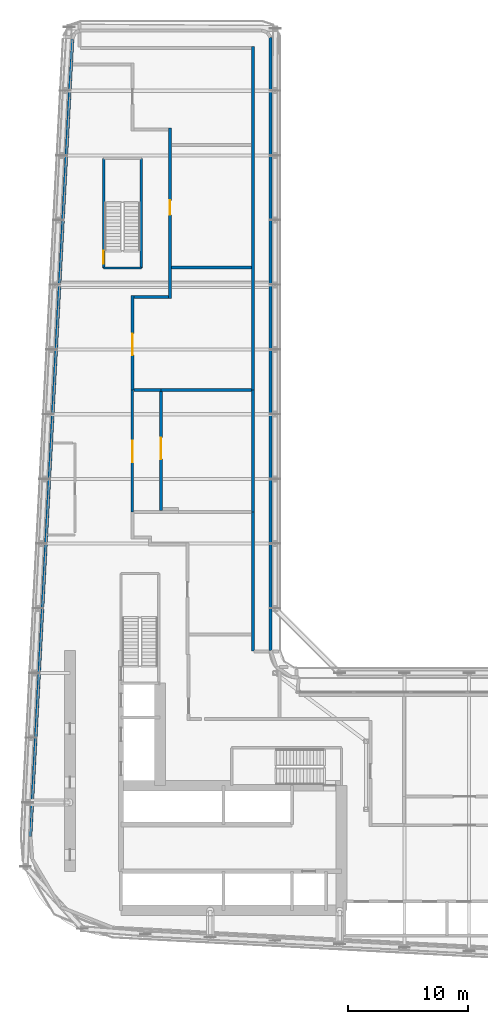
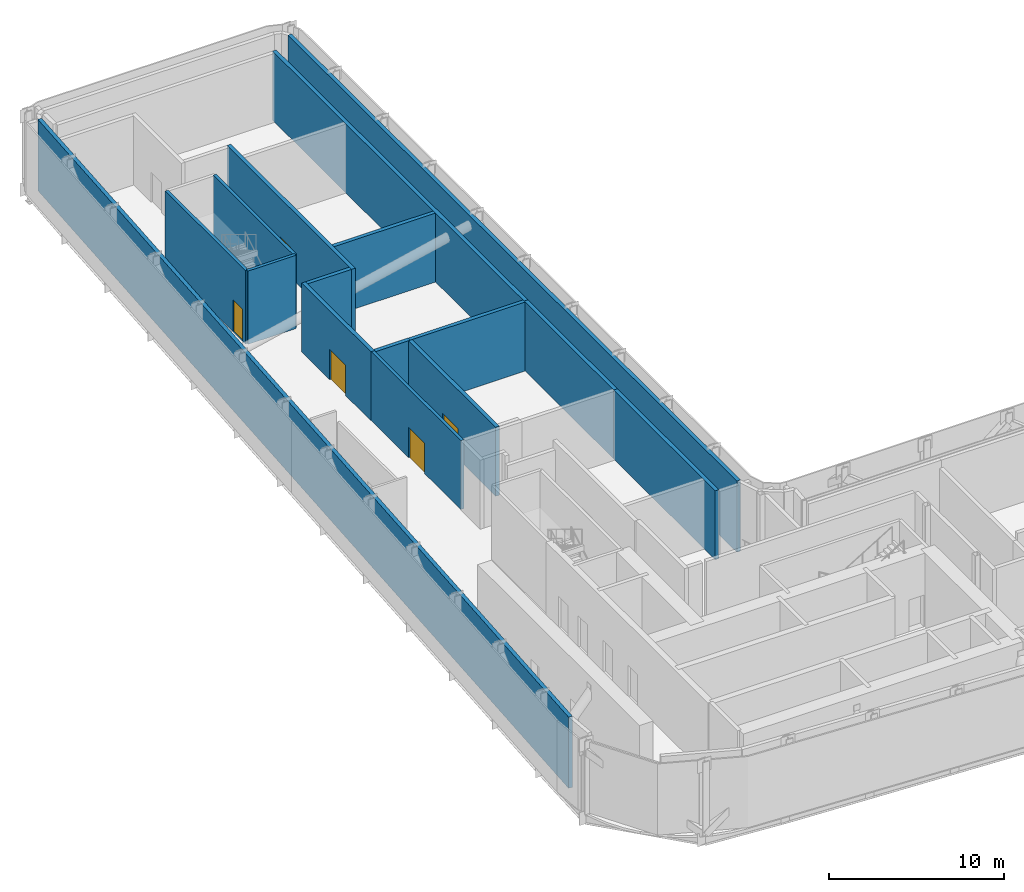
# One storey, part 21 of 30: 16 walls, 5 doors, 5 openings.
"""IFC4 building model written with IfcOpenShell, lengths in metres."""

from ifc_helpers import new_model, si_unit, direction, frame, frame_2d, origin, place, context, subcontext, project, spatial, rectangle, extrude, source, transform, mapped, material, layer, layer_set, type_object, element, fill, save


model = new_model("IFC4")

# Units and contexts
model_context = context("Model", 3, precision=1e-05, world=origin(), true_north=direction((0.0, 1.0)))
body_context = subcontext(model_context, "Body", "Model", "MODEL_VIEW")
ifc_project = project(units=[si_unit("LENGTHUNIT", "METRE"), si_unit("AREAUNIT", "SQUARE_METRE"), si_unit("VOLUMEUNIT", "CUBIC_METRE"), si_unit("PLANEANGLEUNIT", "RADIAN"), si_unit("MASSUNIT", "GRAM", prefix="KILO")], contexts=[model_context])

# Site, building, storey
site_placement = place(None, origin())
site = spatial("IfcSite", under=ifc_project, at=site_placement, CompositionType="ELEMENT")
building_placement = place(site_placement, origin())
building = spatial("IfcBuilding", under=site, at=building_placement, Name="Kheshtan School and Residences Tower", CompositionType="ELEMENT")
storey_placement = place(building_placement, frame((0.0, 0.0, 89.0)))
storey = spatial("IfcBuildingStorey", under=building, at=storey_placement, Name="L20", CompositionType="ELEMENT", Elevation=89.0)

# Wall, opening, door
ifc_material_1 = material(Name="Gypsum board on steel studs with fire boards", Category="steel")
ifc_layer_1 = layer(ifc_material_1, 0.199951171875)
ifc_layer_set_1 = layer_set([ifc_layer_1], Name="Corridor wall 200")
wall_type_1 = type_object("IfcWallType", Name="Corridor wall 200", PredefinedType="PARTITIONING", material=ifc_layer_set_1)
wall_1_placement = place(storey_placement, frame((35.699951171875, 59.02392578125, 0.0), z_axis=(0.0, 0.0, 1.0), x_axis=(0.0, 1.0, 0.0)))
wall_1 = element("IfcWall", 1, at=wall_1_placement, inside=storey, type_object=wall_type_1, Name="Partition L20-007", PredefinedType="PARTITIONING", context=body_context, shape_type="SweptSolid", body=[
    extrude(rectangle(XDim=10.212158203125, YDim=0.199951171875, at=frame_2d((5.10595703125, 0.0))), origin(), (0.0, 0.0, 1.0), 4.800048828125),
])
opening_1_placement = place(wall_1_placement, frame((4.14990234375, 0.0, 0.0)))
opening_1 = element("IfcOpeningElement", 2, at=opening_1_placement, cuts=wall_1, Name="Opening D20-019", PredefinedType="OPENING", context=body_context, shape_type="SweptSolid", body=[
    extrude(rectangle(XDim=1.800048828125, YDim=2.10009765625, at=frame_2d((0.89990234375, 1.050048828125))), frame((0.0, 0.10986328125, 0.0), z_axis=(0.0, -1.0, 0.0), x_axis=(1.0, 0.0, 0.0)), (0.0, 0.0, 1.0), 0.219970703125),
])
ifc_material_2 = material(Name="Steel-framed fire-resisting door leaf", Category="steel")
door_type_1 = type_object("IfcDoorType", Name="Fire double door FD60 1800 x 2100", OperationType="DOUBLE_DOOR_SINGLE_SWING", PredefinedType="DOOR", material=ifc_material_2)
shared_shape_1 = source(origin(), body_context, "Body", "SweptSolid", [
    extrude(rectangle(XDim=1.800048828125, YDim=2.10009765625, at=frame_2d((0.89990234375, 1.050048828125))), frame((0.0, 0.02490234375, 0.0), z_axis=(0.0, -1.0, 0.0), x_axis=(1.0, 0.0, 0.0)), (0.0, 0.0, 1.0), 0.050048828125),
])
door_1_placement = place(opening_1_placement, origin())
door_1 = element("IfcDoor", 3, at=door_1_placement, inside=storey, type_object=door_type_1, Name="Door D20-019", OperationType="DOUBLE_DOOR_SINGLE_SWING", OverallHeight=2.10009765625, OverallWidth=1.800048828125, PredefinedType="DOOR", context=body_context, shape_type="MappedRepresentation", body=[
    mapped(shared_shape_1, transform((0.0, 0.0, 0.0), x_axis=(1.0, 0.0, 0.0), y_axis=(0.0, 1.0, 0.0), z_axis=(0.0, 0.0, 1.0), scale=1.0)),
])
fill(opening_1, door_1)

# Walls
ifc_material_3 = material(Name="Concrete C40/50 with ceramic cladding and mineral wool insulation", Category="concrete")
ifc_layer_2 = layer(ifc_material_3, 0.25)
ifc_layer_set_2 = layer_set([ifc_layer_2], Name="External wall 250 ceramic clad")
wall_type_2 = type_object("IfcWallType", Name="External wall 250 ceramic clad", PredefinedType="SOLIDWALL", material=ifc_layer_set_2)
wall_2_placement = place(storey_placement, frame((27.195068359375, 31.968994140625, 0.0), z_axis=(0.0, 0.0, 1.0), x_axis=(0.052556141556, 0.99861797099, 0.0)))
element("IfcWall", 4, at=wall_2_placement, inside=storey, type_object=wall_type_2, Name="External wall L20 18", PredefinedType="SOLIDWALL", context=body_context, shape_type="SweptSolid", body=[
    extrude(rectangle(XDim=66.651123046875, YDim=0.25, at=frame_2d((33.32568359375, 0.0))), origin(), (0.0, 0.0, 1.0), 4.949951171875),
])
wall_3_placement = place(storey_placement, frame((47.22509765625, 98.659912109375, 0.0), z_axis=(0.0, 0.0, 1.0), x_axis=(0.0, -1.0, 0.0)))
element("IfcWall", 5, at=wall_3_placement, inside=storey, type_object=wall_type_2, Name="External wall L20 24", PredefinedType="SOLIDWALL", context=body_context, shape_type="SweptSolid", body=[
    extrude(rectangle(XDim=51.169921875, YDim=0.25, at=frame_2d((25.5849609375, 0.0))), origin(), (0.0, 0.0, 1.0), 4.949951171875),
])

# Wall, opening, door
ifc_material_4 = material(Name="Fire-board and steel stud wall with mineral wool", Category="steel")
ifc_layer_3 = layer(ifc_material_4, 0.25)
ifc_layer_set_3 = layer_set([ifc_layer_3], Name="Plant room wall 250")
wall_type_3 = type_object("IfcWallType", Name="Plant room wall 250", PredefinedType="PARTITIONING", material=ifc_layer_set_3)
wall_4_placement = place(storey_placement, frame((35.699951171875, 69.236083984375, 0.0), z_axis=(0.0, 0.0, 1.0), x_axis=(0.0, 1.0, 0.0)))
wall_4 = element("IfcWall", 6, at=wall_4_placement, inside=storey, type_object=wall_type_3, Name="Partition L20-008", PredefinedType="PARTITIONING", context=body_context, shape_type="SweptSolid", body=[
    extrude(rectangle(XDim=7.888916015625, YDim=0.25, at=frame_2d((3.9443359375, 0.0))), origin(), (0.0, 0.0, 1.0), 4.800048828125),
])
opening_2_placement = place(wall_4_placement, frame((2.89990234375, 0.0, 0.0)))
opening_2 = element("IfcOpeningElement", 7, at=opening_2_placement, cuts=wall_4, Name="Opening D20-009", PredefinedType="OPENING", context=body_context, shape_type="SweptSolid", body=[
    extrude(rectangle(XDim=1.800048828125, YDim=2.10009765625, at=frame_2d((0.89990234375, 1.050048828125))), frame((0.0, 0.135009765625, 0.0), z_axis=(0.0, -1.0, 0.0), x_axis=(1.0, 0.0, 0.0)), (0.0, 0.0, 1.0), 0.27001953125),
])
door_type_2 = type_object("IfcDoorType", Name="Fire double door FD120 1800 x 2100", OperationType="DOUBLE_DOOR_SINGLE_SWING", PredefinedType="DOOR", material=ifc_material_2)
shared_shape_2 = source(origin(), body_context, "Body", "SweptSolid", [
    extrude(rectangle(XDim=1.800048828125, YDim=2.10009765625, at=frame_2d((0.89990234375, 1.050048828125))), frame((0.0, 0.02490234375, 0.0), z_axis=(0.0, -1.0, 0.0), x_axis=(1.0, 0.0, 0.0)), (0.0, 0.0, 1.0), 0.050048828125),
])
door_2_placement = place(opening_2_placement, origin())
door_2 = element("IfcDoor", 8, at=door_2_placement, inside=storey, type_object=door_type_2, Name="Door D20-009", OperationType="DOUBLE_DOOR_SINGLE_SWING", OverallHeight=2.10009765625, OverallWidth=1.800048828125, PredefinedType="DOOR", context=body_context, shape_type="MappedRepresentation", body=[
    mapped(shared_shape_2, transform((0.0, 0.0, 0.0), x_axis=(1.0, 0.0, 0.0), y_axis=(0.0, 1.0, 0.0), z_axis=(0.0, 0.0, 1.0), scale=1.0)),
])
fill(opening_2, door_2)

# Walls
wall_5_placement = place(storey_placement, frame((35.824951171875, 69.236083984375, 0.0), z_axis=(0.0, 0.0, 1.0), x_axis=(1.0, 0.0, 0.0)))
element("IfcWall", 9, at=wall_5_placement, inside=storey, type_object=wall_type_3, Name="Partition L20-012", PredefinedType="PARTITIONING", context=body_context, shape_type="SweptSolid", body=[
    extrude(rectangle(XDim=2.275146484375, YDim=0.25, at=frame_2d((1.1376953125, 0.0))), origin(), (0.0, 0.0, 1.0), 4.800048828125),
])
wall_6_placement = place(storey_placement, frame((35.824951171875, 77.0, 0.0), z_axis=(0.0, 0.0, 1.0), x_axis=(1.0, 0.0, 0.0)))
element("IfcWall", 10, at=wall_6_placement, inside=storey, type_object=wall_type_3, Name="Partition L20-013", PredefinedType="PARTITIONING", context=body_context, shape_type="SweptSolid", body=[
    extrude(rectangle(XDim=2.900146484375, YDim=0.25, at=frame_2d((1.4501953125, 0.0))), origin(), (0.0, 0.0, 1.0), 4.800048828125),
])

# Wall, opening, door
wall_7_placement = place(storey_placement, frame((38.85009765625, 76.875, 0.0), z_axis=(0.0, 0.0, 1.0), x_axis=(0.0, 1.0, 0.0)))
wall_7 = element("IfcWall", 11, at=wall_7_placement, inside=storey, type_object=wall_type_3, Name="Partition L20-020", PredefinedType="PARTITIONING", context=body_context, shape_type="SweptSolid", body=[
    extrude(rectangle(XDim=14.2099609375, YDim=0.25, at=frame_2d((7.10498046875, 0.0))), origin(), (0.0, 0.0, 1.0), 4.800048828125),
])
opening_3_placement = place(wall_7_placement, frame((6.971923828125, 0.0, 0.0)))
opening_3 = element("IfcOpeningElement", 12, at=opening_3_placement, cuts=wall_7, Name="Opening D20-011", PredefinedType="OPENING", context=body_context, shape_type="SweptSolid", body=[
    extrude(rectangle(XDim=1.199951171875, YDim=2.10009765625, at=frame_2d((0.60009765625, 1.050048828125))), frame((0.0, 0.135009765625, 0.0), z_axis=(0.0, -1.0, 0.0), x_axis=(1.0, 0.0, 0.0)), (0.0, 0.0, 1.0), 0.27001953125),
])
door_type_3 = type_object("IfcDoorType", Name="Fire door FD120 1200 x 2100", OperationType="SINGLE_SWING_LEFT", PredefinedType="DOOR", material=ifc_material_2)
shared_shape_3 = source(origin(), body_context, "Body", "SweptSolid", [
    extrude(rectangle(XDim=1.199951171875, YDim=2.10009765625, at=frame_2d((0.60009765625, 1.050048828125))), frame((0.0, 0.02490234375, 0.0), z_axis=(0.0, -1.0, 0.0), x_axis=(1.0, 0.0, 0.0)), (0.0, 0.0, 1.0), 0.050048828125),
])
door_3_placement = place(opening_3_placement, origin())
door_3 = element("IfcDoor", 13, at=door_3_placement, inside=storey, type_object=door_type_3, Name="Door D20-011", OperationType="SINGLE_SWING_LEFT", OverallHeight=2.10009765625, OverallWidth=1.199951171875, PredefinedType="DOOR", context=body_context, shape_type="MappedRepresentation", body=[
    mapped(shared_shape_3, transform((0.0, 0.0, 0.0), x_axis=(1.0, 0.0, 0.0), y_axis=(0.0, 1.0, 0.0), z_axis=(0.0, 0.0, 1.0), scale=1.0)),
])
fill(opening_3, door_3)

# Walls
wall_8_placement = place(storey_placement, frame((38.97509765625, 79.447021484375, 0.0), z_axis=(0.0, 0.0, 1.0), x_axis=(1.0, 0.0, 0.0)))
element("IfcWall", 14, at=wall_8_placement, inside=storey, type_object=wall_type_3, Name="Partition L20-021", PredefinedType="PARTITIONING", context=body_context, shape_type="SweptSolid", body=[
    extrude(rectangle(XDim=6.679931640625, YDim=0.25, at=frame_2d((3.33984375, 0.0))), origin(), (0.0, 0.0, 1.0), 4.800048828125),
])
wall_9_placement = place(storey_placement, frame((45.780029296875, 47.450927734375, 0.0), z_axis=(0.0, 0.0, 1.0), x_axis=(0.0, 1.0, 0.0)))
element("IfcWall", 15, at=wall_9_placement, inside=storey, type_object=wall_type_3, Name="Partition L20-029", PredefinedType="PARTITIONING", context=body_context, shape_type="SweptSolid", body=[
    extrude(rectangle(XDim=11.572998046875, YDim=0.25, at=frame_2d((5.78662109375, 0.0))), origin(), (0.0, 0.0, 1.0), 4.800048828125),
])
wall_10_placement = place(storey_placement, frame((45.780029296875, 69.236083984375, 0.0), z_axis=(0.0, 0.0, 1.0), x_axis=(0.0, 1.0, 0.0)))
element("IfcWall", 16, at=wall_10_placement, inside=storey, type_object=wall_type_3, Name="Partition L20-031", PredefinedType="PARTITIONING", context=body_context, shape_type="SweptSolid", body=[
    extrude(rectangle(XDim=28.6689453125, YDim=0.25, at=frame_2d((14.33447265625, 0.0))), origin(), (0.0, 0.0, 1.0), 4.800048828125),
])

# Wall, opening, door
ifc_layer_4 = layer(ifc_material_4, 0.25)
ifc_layer_set_4 = layer_set([ifc_layer_4], Name="Refuge compartment wall 250")
wall_type_4 = type_object("IfcWallType", Name="Refuge compartment wall 250", PredefinedType="PARTITIONING", material=ifc_layer_set_4)
wall_11_placement = place(storey_placement, frame((38.10009765625, 59.175048828125, 0.0), z_axis=(0.0, 0.0, 1.0), x_axis=(0.0, 1.0, 0.0)))
wall_11 = element("IfcWall", 17, at=wall_11_placement, inside=storey, type_object=wall_type_4, Name="Partition L20-017", PredefinedType="PARTITIONING", context=body_context, shape_type="SweptSolid", body=[
    extrude(rectangle(XDim=9.93603515625, YDim=0.25, at=frame_2d((4.968017578125, 0.0))), origin(), (0.0, 0.0, 1.0), 4.800048828125),
])
opening_4_placement = place(wall_11_placement, frame((4.27490234375, 0.0, 0.0)))
opening_4 = element("IfcOpeningElement", 18, at=opening_4_placement, cuts=wall_11, Name="Opening D20-008", PredefinedType="OPENING", context=body_context, shape_type="SweptSolid", body=[
    extrude(rectangle(XDim=1.800048828125, YDim=2.10009765625, at=frame_2d((0.89990234375, 1.050048828125))), frame((0.0, 0.135009765625, 0.0), z_axis=(0.0, -1.0, 0.0), x_axis=(1.0, 0.0, 0.0)), (0.0, 0.0, 1.0), 0.27001953125),
])
door_4_placement = place(opening_4_placement, origin())
door_4 = element("IfcDoor", 19, at=door_4_placement, inside=storey, type_object=door_type_2, Name="Door D20-008", OperationType="DOUBLE_DOOR_SINGLE_SWING", OverallHeight=2.10009765625, OverallWidth=1.800048828125, PredefinedType="DOOR", context=body_context, shape_type="MappedRepresentation", body=[
    mapped(shared_shape_2, transform((0.0, 0.0, 0.0), x_axis=(1.0, 0.0, 0.0), y_axis=(0.0, 1.0, 0.0), z_axis=(0.0, 0.0, 1.0), scale=1.0)),
])
fill(opening_4, door_4)

# Walls
wall_12_placement = place(storey_placement, frame((38.10009765625, 69.236083984375, 0.0), z_axis=(0.0, 0.0, 1.0), x_axis=(1.0, 0.0, 0.0)))
element("IfcWall", 20, at=wall_12_placement, inside=storey, type_object=wall_type_4, Name="Partition L20-018", PredefinedType="PARTITIONING", context=body_context, shape_type="SweptSolid", body=[
    extrude(rectangle(XDim=7.554931640625, YDim=0.25, at=frame_2d((3.77734375, 0.0))), origin(), (0.0, 0.0, 1.0), 4.800048828125),
])
wall_13_placement = place(storey_placement, frame((45.780029296875, 59.02392578125, 0.0), z_axis=(0.0, 0.0, 1.0), x_axis=(0.0, 1.0, 0.0)))
element("IfcWall", 21, at=wall_13_placement, inside=storey, type_object=wall_type_4, Name="Partition L20-030", PredefinedType="PARTITIONING", context=body_context, shape_type="SweptSolid", body=[
    extrude(rectangle(XDim=10.212158203125, YDim=0.25, at=frame_2d((5.10595703125, 0.0))), origin(), (0.0, 0.0, 1.0), 4.800048828125),
])
ifc_material_5 = material(Name="Concrete C40/50", Category="concrete")
ifc_layer_5 = layer(ifc_material_5, 0.199951171875)
ifc_layer_set_5 = layer_set([ifc_layer_5], Name="Stair enclosure wall 200 Concrete C40/50")
wall_type_5 = type_object("IfcWallType", Name="Stair enclosure wall 200 Concrete C40/50", PredefinedType="SHEAR", material=ifc_layer_set_5)
wall_14_placement = place(storey_placement, frame((33.300048828125, 79.39990234375, 0.0), z_axis=(0.0, 0.0, 1.0), x_axis=(1.0, 0.0, 0.0)))
element("IfcWall", 22, at=wall_14_placement, inside=storey, type_object=wall_type_5, Name="Stair enclosure wall ST3", PredefinedType="SHEAR", context=body_context, shape_type="SweptSolid", body=[
    extrude(rectangle(XDim=3.14990234375, YDim=0.199951171875, at=frame_2d((1.574951171875, 0.0))), origin(), (0.0, 0.0, 1.0), 5.10009765625),
])

# Wall, opening, door
wall_15_placement = place(storey_placement, frame((33.300048828125, 79.39990234375, 0.0), z_axis=(0.0, 0.0, 1.0), x_axis=(0.0, 1.0, 0.0)))
wall_15 = element("IfcWall", 23, at=wall_15_placement, inside=storey, type_object=wall_type_5, Name="Stair enclosure wall ST3", PredefinedType="SHEAR", context=body_context, shape_type="SweptSolid", body=[
    extrude(rectangle(XDim=9.16015625, YDim=0.199951171875, at=frame_2d((4.580078125, 0.0))), origin(), (0.0, 0.0, 1.0), 5.10009765625),
])
opening_5_placement = place(wall_15_placement, frame((0.35009765625, 0.0, 0.0)))
opening_5 = element("IfcOpeningElement", 24, at=opening_5_placement, cuts=wall_15, Name="Opening ST3D", PredefinedType="OPENING", context=body_context, shape_type="SweptSolid", body=[
    extrude(rectangle(XDim=1.10009765625, YDim=2.199951171875, at=frame_2d((0.550048828125, 1.10009765625))), frame((0.0, 0.10986328125, 0.0), z_axis=(0.0, -1.0, 0.0), x_axis=(1.0, 0.0, 0.0)), (0.0, 0.0, 1.0), 0.219970703125),
])
ifc_material_6 = material(Name="Steel door leaf, galvanised", Category="steel")
door_type_4 = type_object("IfcDoorType", Name="Stair door 1100 steel 90 min", OperationType="SINGLE_SWING_LEFT", PredefinedType="DOOR", material=ifc_material_6)
shared_shape_4 = source(origin(), body_context, "Body", "SweptSolid", [
    extrude(rectangle(XDim=1.10009765625, YDim=2.199951171875, at=frame_2d((0.550048828125, 1.10009765625))), frame((0.0, 0.02490234375, 0.0), z_axis=(0.0, -1.0, 0.0), x_axis=(1.0, 0.0, 0.0)), (0.0, 0.0, 1.0), 0.050048828125),
])
door_5_placement = place(opening_5_placement, origin())
door_5 = element("IfcDoor", 25, at=door_5_placement, inside=storey, type_object=door_type_4, Name="Stair ST3 door", OperationType="SINGLE_SWING_RIGHT", OverallHeight=2.199951171875, OverallWidth=1.10009765625, PredefinedType="DOOR", context=body_context, shape_type="MappedRepresentation", body=[
    mapped(shared_shape_4, transform((0.0, 0.0, 0.0), x_axis=(1.0, 0.0, 0.0), y_axis=(0.0, 1.0, 0.0), z_axis=(0.0, 0.0, 1.0), scale=1.0)),
])
fill(opening_5, door_5)

# Wall
wall_16_placement = place(storey_placement, frame((36.449951171875, 79.39990234375, 0.0), z_axis=(0.0, 0.0, 1.0), x_axis=(0.0, 1.0, 0.0)))
element("IfcWall", 26, at=wall_16_placement, inside=storey, type_object=wall_type_5, Name="Stair enclosure wall ST3", PredefinedType="SHEAR", context=body_context, shape_type="SweptSolid", body=[
    extrude(rectangle(XDim=9.16015625, YDim=0.199951171875, at=frame_2d((4.580078125, 0.0))), origin(), (0.0, 0.0, 1.0), 5.10009765625),
])

save(model, "model.ifc")
